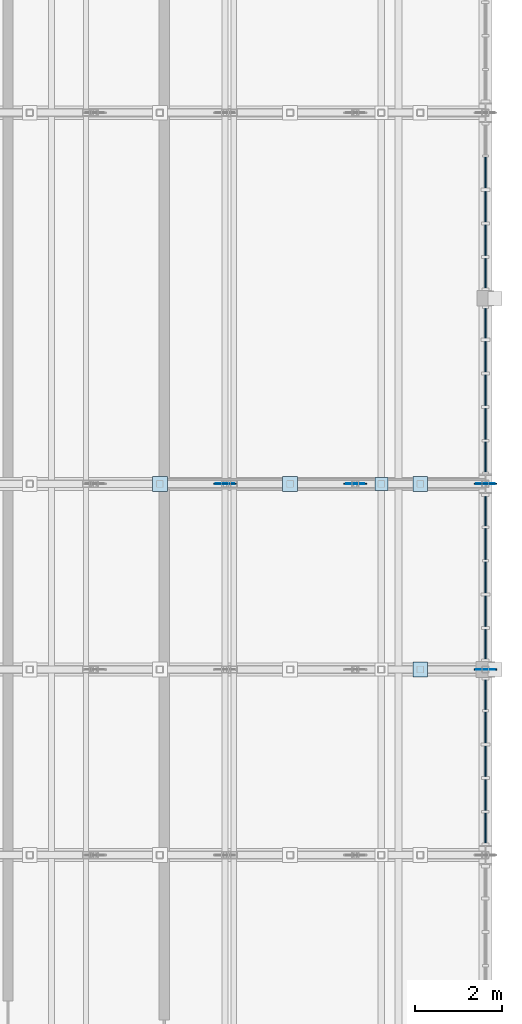
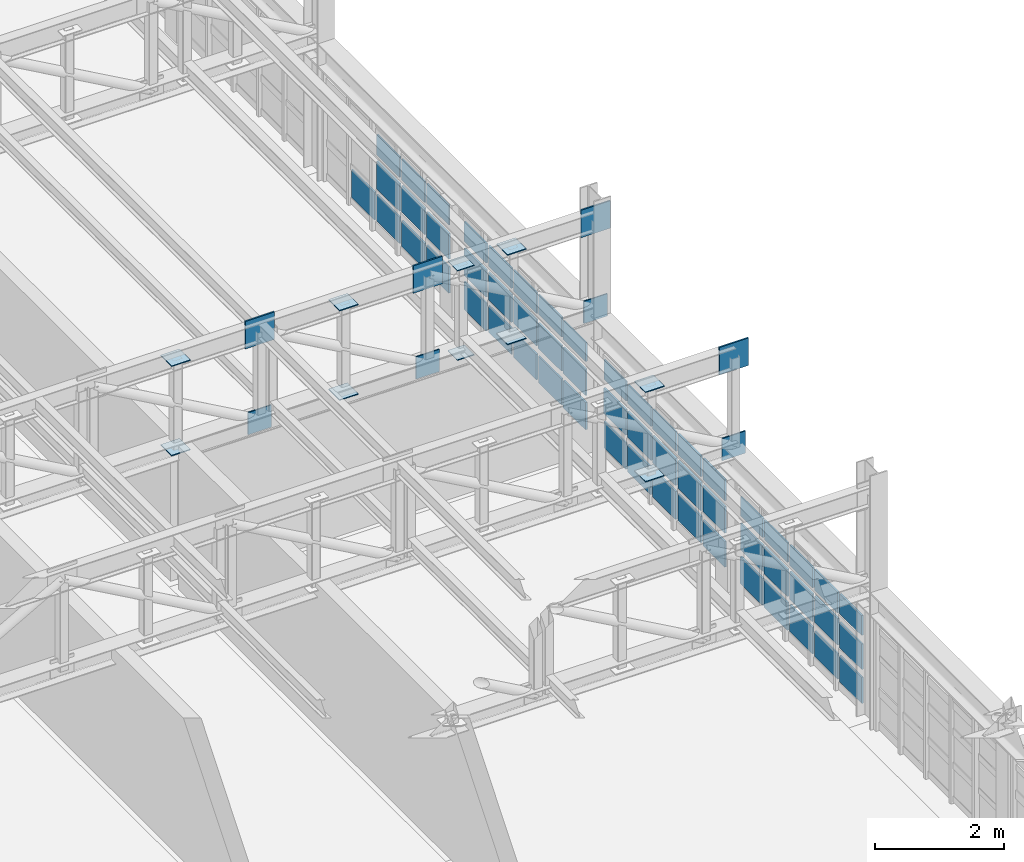
# One storey, part 110 of 128: 73 plates, 4 elements without a shape of their own.
"""IFC4 building model written with IfcOpenShell, lengths in metres."""

from ifc_helpers import new_model, si_unit, direction, frame, origin, origin_2d, place, context, subcontext, project, spatial, rectangle, extrude, material, layer, layer_set, type_object, element, aggregate, save


model = new_model("IFC4")

# Units and contexts
model_context = context("Model", 3, precision=1e-05, world=origin(), true_north=direction((0.0, 1.0)))
body_context = subcontext(model_context, "Body", "Model", "MODEL_VIEW")
ifc_project = project(units=[si_unit("LENGTHUNIT", "METRE"), si_unit("AREAUNIT", "SQUARE_METRE"), si_unit("VOLUMEUNIT", "CUBIC_METRE"), si_unit("PLANEANGLEUNIT", "RADIAN"), si_unit("MASSUNIT", "GRAM", prefix="KILO")], contexts=[model_context])

# Site, building, storey
site_placement = place(None, origin())
site = spatial("IfcSite", under=ifc_project, at=site_placement, CompositionType="ELEMENT")
building_placement = place(site_placement, origin())
building = spatial("IfcBuilding", under=site, at=building_placement, Name="Serraforn Aerial Cableway Station", CompositionType="ELEMENT")
storey_placement = place(building_placement, frame((0.0, 0.0, 9.0)))
storey = spatial("IfcBuildingStorey", under=building, at=storey_placement, Name="L02", CompositionType="ELEMENT", Elevation=9.0)

# Curtain wall, plate
ifc_material_1 = material(Name="Anodised bronze unitised curtain wall")
curtain_wall_type_1 = type_object("IfcCurtainWallType", Name="CW-SYS-6", PredefinedType="USERDEFINED", material=ifc_material_1)
curtain_wall_1_placement = place(storey_placement, origin())
curtain_wall_1 = element("IfcCurtainWall", 1, at=curtain_wall_1_placement, inside=storey, type_object=curtain_wall_type_1, Name="Unitised Curtain Wall CW-EG-L02-E5B", ObjectType="UNITISED CURTAIN WALL", PredefinedType="USERDEFINED")
ifc_material_2 = material(Name="Solar-control low-E double glazing", Category="glass")
ifc_layer_1 = layer(ifc_material_2, 0.02587890625)
ifc_layer_set_1 = layer_set([ifc_layer_1], Name="Solar-control low-E double glazing")
plate_type_1 = type_object("IfcPlateType", Name="CW-GLZ-1", PredefinedType="CURTAIN_PANEL", material=ifc_layer_set_1)
plate_1_placement = place(storey_placement, frame((168.0, 87.722412109375, 1.4375), z_axis=(0.0, 0.0, 1.0), x_axis=(1.0, 0.0, 0.0)))
plate_1 = element("IfcPlate", 2, at=plate_1_placement, type_object=plate_type_1, Name="Curtain Wall Panel CW-EG-L02-E5B-P5-3", PredefinedType="CURTAIN_PANEL", context=body_context, shape_type="SweptSolid", body=[
    extrude(rectangle(XDim=0.02587890625, YDim=0.683349609375, at=origin_2d()), origin(), (0.0, 0.0, 1.0), 0.375244140625),
])

# Curtain wall, plates
curtain_wall_type_2 = type_object("IfcCurtainWallType", Name="CW-SYS-9", PredefinedType="USERDEFINED", material=ifc_material_1)
curtain_wall_2_placement = place(storey_placement, origin())
curtain_wall_2 = element("IfcCurtainWall", 3, at=curtain_wall_2_placement, inside=storey, type_object=curtain_wall_type_2, Name="Unitised Curtain Wall CW-EG-L02-E6A", ObjectType="UNITISED CURTAIN WALL", PredefinedType="USERDEFINED")
plate_2_placement = place(storey_placement, frame((168.0, 89.7333984375, 1.4375), z_axis=(0.0, 0.0, 1.0), x_axis=(1.0, 0.0, 0.0)))
plate_2 = element("IfcPlate", 4, at=plate_2_placement, type_object=plate_type_1, Name="Curtain Wall Panel CW-EG-L02-E6A-P2-3", PredefinedType="CURTAIN_PANEL", context=body_context, shape_type="SweptSolid", body=[
    extrude(rectangle(XDim=0.02587890625, YDim=0.7158203125, at=origin_2d()), origin(), (0.0, 0.0, 1.0), 0.375244140625),
])
plate_3_placement = place(storey_placement, frame((168.0, 90.5078125, 0.80126953125), z_axis=(0.0, 0.0, 1.0), x_axis=(1.0, 0.0, 0.0)))
plate_3 = element("IfcPlate", 5, at=plate_3_placement, type_object=plate_type_1, Name="Curtain Wall Panel CW-EG-L02-E6A-P3-2", PredefinedType="CURTAIN_PANEL", context=body_context, shape_type="SweptSolid", body=[
    extrude(rectangle(XDim=0.02587890625, YDim=0.7109375, at=origin_2d()), origin(), (0.0, 0.0, 1.0), 0.50244140625),
])
plate_4_placement = place(storey_placement, frame((168.0, 91.281982421875, 0.165283203125), z_axis=(0.0, 0.0, 1.0), x_axis=(1.0, 0.0, 0.0)))
plate_4 = element("IfcPlate", 6, at=plate_4_placement, type_object=plate_type_1, Name="Curtain Wall Panel CW-EG-L02-E6A-P4-1", PredefinedType="CURTAIN_PANEL", context=body_context, shape_type="SweptSolid", body=[
    extrude(rectangle(XDim=0.02587890625, YDim=0.705810546875, at=origin_2d()), origin(), (0.0, 0.0, 1.0), 0.50244140625),
])

curtain_wall_type_3 = type_object("IfcCurtainWallType", Name="CW-SYS-10", PredefinedType="USERDEFINED", material=ifc_material_1)
curtain_wall_3_placement = place(storey_placement, origin())
curtain_wall_3 = element("IfcCurtainWall", 7, at=curtain_wall_3_placement, inside=storey, type_object=curtain_wall_type_3, Name="Unitised Curtain Wall CW-EG-L02-E6B", ObjectType="UNITISED CURTAIN WALL", PredefinedType="USERDEFINED")
plate_5_placement = place(storey_placement, frame((168.0, 93.2060546875, 1.4375), z_axis=(0.0, 0.0, 1.0), x_axis=(1.0, 0.0, 0.0)))
plate_5 = element("IfcPlate", 8, at=plate_5_placement, type_object=plate_type_1, Name="Curtain Wall Panel CW-EG-L02-E6B-P1-3", PredefinedType="CURTAIN_PANEL", context=body_context, shape_type="SweptSolid", body=[
    extrude(rectangle(XDim=0.02587890625, YDim=0.685791015625, at=origin_2d()), origin(), (0.0, 0.0, 1.0), 0.375244140625),
])
plate_6_placement = place(storey_placement, frame((168.0, 93.96533203125, 0.80126953125), z_axis=(0.0, 0.0, 1.0), x_axis=(1.0, 0.0, 0.0)))
plate_6 = element("IfcPlate", 9, at=plate_6_placement, type_object=plate_type_1, Name="Curtain Wall Panel CW-EG-L02-E6B-P2-2", PredefinedType="CURTAIN_PANEL", context=body_context, shape_type="SweptSolid", body=[
    extrude(rectangle(XDim=0.02587890625, YDim=0.7109375, at=origin_2d()), origin(), (0.0, 0.0, 1.0), 0.50244140625),
])
plate_7_placement = place(storey_placement, frame((168.0, 94.73974609375, 0.165283203125), z_axis=(0.0, 0.0, 1.0), x_axis=(1.0, 0.0, 0.0)))
plate_7 = element("IfcPlate", 10, at=plate_7_placement, type_object=plate_type_1, Name="Curtain Wall Panel CW-EG-L02-E6B-P3-1", PredefinedType="CURTAIN_PANEL", context=body_context, shape_type="SweptSolid", body=[
    extrude(rectangle(XDim=0.02587890625, YDim=0.705810546875, at=origin_2d()), origin(), (0.0, 0.0, 1.0), 0.50244140625),
])

# Curtain wall, plate
curtain_wall_type_4 = type_object("IfcCurtainWallType", Name="CW-SYS-5", PredefinedType="USERDEFINED", material=ifc_material_1)
curtain_wall_4_placement = place(storey_placement, origin())
curtain_wall_4 = element("IfcCurtainWall", 11, at=curtain_wall_4_placement, inside=storey, type_object=curtain_wall_type_4, Name="Unitised Curtain Wall CW-EG-L02-E5A", ObjectType="UNITISED CURTAIN WALL", PredefinedType="USERDEFINED")
ifc_layer_2 = layer(ifc_material_2, 0.028076171875)
ifc_layer_set_2 = layer_set([ifc_layer_2], Name="Solar-control low-E double glazing")
plate_type_2 = type_object("IfcPlateType", Name="CW-GLZ-2", PredefinedType="CURTAIN_PANEL", material=ifc_layer_set_2)
plate_8_placement = place(storey_placement, frame((168.0, 80.423828125, 0.150390625), z_axis=(0.0, 0.0, 1.0), x_axis=(1.0, 0.0, 0.0)))
plate_8 = element("IfcPlate", 12, at=plate_8_placement, type_object=plate_type_2, Name="Curtain Wall Panel CW-EG-L02-E5A-P1-1", PredefinedType="CURTAIN_PANEL", context=body_context, shape_type="SweptSolid", body=[
    extrude(rectangle(XDim=0.028076171875, YDim=0.685791015625, at=origin_2d()), origin(), (0.0, 0.0, 1.0), 0.49755859375),
])

# Plate
plate_9_placement = place(storey_placement, frame((168.0, 90.5078125, 1.40966796875), z_axis=(0.0, 0.0, 1.0), x_axis=(1.0, 0.0, 0.0)))
plate_9 = element("IfcPlate", 13, at=plate_9_placement, type_object=plate_type_2, Name="Curtain Wall Panel CW-EG-L02-E6A-P3-3", PredefinedType="CURTAIN_PANEL", context=body_context, shape_type="SweptSolid", body=[
    extrude(rectangle(XDim=0.028076171875, YDim=0.7109375, at=origin_2d()), origin(), (0.0, 0.0, 1.0), 0.397705078125),
])

plate_10_placement = place(storey_placement, frame((168.0, 91.281982421875, 0.77392578125), z_axis=(0.0, 0.0, 1.0), x_axis=(1.0, 0.0, 0.0)))
plate_10 = element("IfcPlate", 14, at=plate_10_placement, type_object=plate_type_2, Name="Curtain Wall Panel CW-EG-L02-E6A-P4-2", PredefinedType="CURTAIN_PANEL", context=body_context, shape_type="SweptSolid", body=[
    extrude(rectangle(XDim=0.028076171875, YDim=0.705810546875, at=origin_2d()), origin(), (0.0, 0.0, 1.0), 0.52490234375),
])

plate_11_placement = place(storey_placement, frame((168.0, 92.049072265625, 0.137939453125), z_axis=(0.0, 0.0, 1.0), x_axis=(1.0, 0.0, 0.0)))
plate_11 = element("IfcPlate", 15, at=plate_11_placement, type_object=plate_type_2, Name="Curtain Wall Panel CW-EG-L02-E6A-P5-1", PredefinedType="CURTAIN_PANEL", context=body_context, shape_type="SweptSolid", body=[
    extrude(rectangle(XDim=0.028076171875, YDim=0.685791015625, at=origin_2d()), origin(), (0.0, 0.0, 1.0), 0.52490234375),
])

plate_12_placement = place(storey_placement, frame((168.0, 93.96533203125, 1.40966796875), z_axis=(0.0, 0.0, 1.0), x_axis=(1.0, 0.0, 0.0)))
plate_12 = element("IfcPlate", 16, at=plate_12_placement, type_object=plate_type_2, Name="Curtain Wall Panel CW-EG-L02-E6B-P2-3", PredefinedType="CURTAIN_PANEL", context=body_context, shape_type="SweptSolid", body=[
    extrude(rectangle(XDim=0.028076171875, YDim=0.7109375, at=origin_2d()), origin(), (0.0, 0.0, 1.0), 0.397705078125),
])

plate_13_placement = place(storey_placement, frame((168.0, 94.73974609375, 0.77392578125), z_axis=(0.0, 0.0, 1.0), x_axis=(1.0, 0.0, 0.0)))
plate_13 = element("IfcPlate", 17, at=plate_13_placement, type_object=plate_type_2, Name="Curtain Wall Panel CW-EG-L02-E6B-P3-2", PredefinedType="CURTAIN_PANEL", context=body_context, shape_type="SweptSolid", body=[
    extrude(rectangle(XDim=0.028076171875, YDim=0.705810546875, at=origin_2d()), origin(), (0.0, 0.0, 1.0), 0.52490234375),
])

plate_14_placement = place(storey_placement, frame((168.0, 95.5205078125, 0.137939453125), z_axis=(0.0, 0.0, 1.0), x_axis=(1.0, 0.0, 0.0)))
plate_14 = element("IfcPlate", 18, at=plate_14_placement, type_object=plate_type_2, Name="Curtain Wall Panel CW-EG-L02-E6B-P4-1", PredefinedType="CURTAIN_PANEL", context=body_context, shape_type="SweptSolid", body=[
    extrude(rectangle(XDim=0.028076171875, YDim=0.71337890625, at=origin_2d()), origin(), (0.0, 0.0, 1.0), 0.52490234375),
])

ifc_layer_3 = layer(ifc_material_2, 0.030029296875)
ifc_layer_set_3 = layer_set([ifc_layer_3], Name="Solar-control low-E double glazing")
plate_type_3 = type_object("IfcPlateType", Name="CW-GLZ-3", PredefinedType="CURTAIN_PANEL", material=ifc_layer_set_3)
plate_15_placement = place(storey_placement, frame((168.0, 80.423828125, 0.7939453125), z_axis=(0.0, 0.0, 1.0), x_axis=(1.0, 0.0, 0.0)))
plate_15 = element("IfcPlate", 19, at=plate_15_placement, type_object=plate_type_3, Name="Curtain Wall Panel CW-EG-L02-E5A-P1-2", PredefinedType="CURTAIN_PANEL", context=body_context, shape_type="SweptSolid", body=[
    extrude(rectangle(XDim=0.030029296875, YDim=0.685791015625, at=origin_2d()), origin(), (0.0, 0.0, 1.0), 0.482421875),
])

plate_16_placement = place(storey_placement, frame((168.0, 81.183349609375, 0.15771484375), z_axis=(0.0, 0.0, 1.0), x_axis=(1.0, 0.0, 0.0)))
plate_16 = element("IfcPlate", 20, at=plate_16_placement, type_object=plate_type_3, Name="Curtain Wall Panel CW-EG-L02-E5A-P2-1", PredefinedType="CURTAIN_PANEL", context=body_context, shape_type="SweptSolid", body=[
    extrude(rectangle(XDim=0.030029296875, YDim=0.7109375, at=origin_2d()), origin(), (0.0, 0.0, 1.0), 0.482421875),
])

plate_17_placement = place(storey_placement, frame((168.0, 84.6572265625, 0.15771484375), z_axis=(0.0, 0.0, 1.0), x_axis=(1.0, 0.0, 0.0)))
plate_17 = element("IfcPlate", 21, at=plate_17_placement, type_object=plate_type_3, Name="Curtain Wall Panel CW-EG-L02-E5B-P1-1", PredefinedType="CURTAIN_PANEL", context=body_context, shape_type="SweptSolid", body=[
    extrude(rectangle(XDim=0.030029296875, YDim=0.678466796875, at=origin_2d()), origin(), (0.0, 0.0, 1.0), 0.482421875),
])

plate_18_placement = place(storey_placement, frame((168.0, 91.281982421875, 1.414794921875), z_axis=(0.0, 0.0, 1.0), x_axis=(1.0, 0.0, 0.0)))
plate_18 = element("IfcPlate", 22, at=plate_18_placement, type_object=plate_type_3, Name="Curtain Wall Panel CW-EG-L02-E6A-P4-3", PredefinedType="CURTAIN_PANEL", context=body_context, shape_type="SweptSolid", body=[
    extrude(rectangle(XDim=0.030029296875, YDim=0.705810546875, at=origin_2d()), origin(), (0.0, 0.0, 1.0), 0.38525390625),
])

plate_19_placement = place(storey_placement, frame((168.0, 92.049072265625, 0.77880859375), z_axis=(0.0, 0.0, 1.0), x_axis=(1.0, 0.0, 0.0)))
plate_19 = element("IfcPlate", 23, at=plate_19_placement, type_object=plate_type_3, Name="Curtain Wall Panel CW-EG-L02-E6A-P5-2", PredefinedType="CURTAIN_PANEL", context=body_context, shape_type="SweptSolid", body=[
    extrude(rectangle(XDim=0.030029296875, YDim=0.685791015625, at=origin_2d()), origin(), (0.0, 0.0, 1.0), 0.512451171875),
])

plate_20_placement = place(storey_placement, frame((168.0, 94.73974609375, 1.414794921875), z_axis=(0.0, 0.0, 1.0), x_axis=(1.0, 0.0, 0.0)))
plate_20 = element("IfcPlate", 24, at=plate_20_placement, type_object=plate_type_3, Name="Curtain Wall Panel CW-EG-L02-E6B-P3-3", PredefinedType="CURTAIN_PANEL", context=body_context, shape_type="SweptSolid", body=[
    extrude(rectangle(XDim=0.030029296875, YDim=0.705810546875, at=origin_2d()), origin(), (0.0, 0.0, 1.0), 0.38525390625),
])

ifc_layer_4 = layer(ifc_material_2, 0.031982421875)
ifc_layer_set_4 = layer_set([ifc_layer_4], Name="Solar-control low-E double glazing")
plate_type_4 = type_object("IfcPlateType", Name="CW-GLZ-4", PredefinedType="CURTAIN_PANEL", material=ifc_layer_set_4)
plate_21_placement = place(storey_placement, frame((168.0, 80.423828125, 1.4375), z_axis=(0.0, 0.0, 1.0), x_axis=(1.0, 0.0, 0.0)))
plate_21 = element("IfcPlate", 25, at=plate_21_placement, type_object=plate_type_4, Name="Curtain Wall Panel CW-EG-L02-E5A-P1-3", PredefinedType="CURTAIN_PANEL", context=body_context, shape_type="SweptSolid", body=[
    extrude(rectangle(XDim=0.031982421875, YDim=0.685791015625, at=origin_2d()), origin(), (0.0, 0.0, 1.0), 0.375244140625),
])

plate_22_placement = place(storey_placement, frame((168.0, 81.183349609375, 0.80126953125), z_axis=(0.0, 0.0, 1.0), x_axis=(1.0, 0.0, 0.0)))
plate_22 = element("IfcPlate", 26, at=plate_22_placement, type_object=plate_type_4, Name="Curtain Wall Panel CW-EG-L02-E5A-P2-2", PredefinedType="CURTAIN_PANEL", context=body_context, shape_type="SweptSolid", body=[
    extrude(rectangle(XDim=0.031982421875, YDim=0.7109375, at=origin_2d()), origin(), (0.0, 0.0, 1.0), 0.50244140625),
])

plate_23_placement = place(storey_placement, frame((168.0, 81.957763671875, 0.165283203125), z_axis=(0.0, 0.0, 1.0), x_axis=(1.0, 0.0, 0.0)))
plate_23 = element("IfcPlate", 27, at=plate_23_placement, type_object=plate_type_4, Name="Curtain Wall Panel CW-EG-L02-E5A-P3-1", PredefinedType="CURTAIN_PANEL", context=body_context, shape_type="SweptSolid", body=[
    extrude(rectangle(XDim=0.031982421875, YDim=0.705810546875, at=origin_2d()), origin(), (0.0, 0.0, 1.0), 0.50244140625),
])

plate_24_placement = place(storey_placement, frame((168.0, 84.6572265625, 0.80126953125), z_axis=(0.0, 0.0, 1.0), x_axis=(1.0, 0.0, 0.0)))
plate_24 = element("IfcPlate", 28, at=plate_24_placement, type_object=plate_type_4, Name="Curtain Wall Panel CW-EG-L02-E5B-P1-2", PredefinedType="CURTAIN_PANEL", context=body_context, shape_type="SweptSolid", body=[
    extrude(rectangle(XDim=0.031982421875, YDim=0.678466796875, at=origin_2d()), origin(), (0.0, 0.0, 1.0), 0.50244140625),
])

plate_25_placement = place(storey_placement, frame((168.0, 85.415283203125, 0.165283203125), z_axis=(0.0, 0.0, 1.0), x_axis=(1.0, 0.0, 0.0)))
plate_25 = element("IfcPlate", 29, at=plate_25_placement, type_object=plate_type_4, Name="Curtain Wall Panel CW-EG-L02-E5B-P2-1", PredefinedType="CURTAIN_PANEL", context=body_context, shape_type="SweptSolid", body=[
    extrude(rectangle(XDim=0.031982421875, YDim=0.705810546875, at=origin_2d()), origin(), (0.0, 0.0, 1.0), 0.50244140625),
])

plate_26_placement = place(storey_placement, frame((168.0, 92.049072265625, 1.42236328125), z_axis=(0.0, 0.0, 1.0), x_axis=(1.0, 0.0, 0.0)))
plate_26 = element("IfcPlate", 30, at=plate_26_placement, type_object=plate_type_4, Name="Curtain Wall Panel CW-EG-L02-E6A-P5-3", PredefinedType="CURTAIN_PANEL", context=body_context, shape_type="SweptSolid", body=[
    extrude(rectangle(XDim=0.031982421875, YDim=0.685791015625, at=origin_2d()), origin(), (0.0, 0.0, 1.0), 0.370361328125),
])

ifc_layer_5 = layer(ifc_material_2, 0.033935546875)
ifc_layer_set_5 = layer_set([ifc_layer_5], Name="Solar-control low-E double glazing")
plate_type_5 = type_object("IfcPlateType", Name="CW-GLZ-5", PredefinedType="CURTAIN_PANEL", material=ifc_layer_set_5)
plate_27_placement = place(storey_placement, frame((168.0, 81.183349609375, 1.40966796875), z_axis=(0.0, 0.0, 1.0), x_axis=(1.0, 0.0, 0.0)))
plate_27 = element("IfcPlate", 31, at=plate_27_placement, type_object=plate_type_5, Name="Curtain Wall Panel CW-EG-L02-E5A-P2-3", PredefinedType="CURTAIN_PANEL", context=body_context, shape_type="SweptSolid", body=[
    extrude(rectangle(XDim=0.033935546875, YDim=0.7109375, at=origin_2d()), origin(), (0.0, 0.0, 1.0), 0.397705078125),
])

plate_28_placement = place(storey_placement, frame((168.0, 81.957763671875, 0.77392578125), z_axis=(0.0, 0.0, 1.0), x_axis=(1.0, 0.0, 0.0)))
plate_28 = element("IfcPlate", 32, at=plate_28_placement, type_object=plate_type_5, Name="Curtain Wall Panel CW-EG-L02-E5A-P3-2", PredefinedType="CURTAIN_PANEL", context=body_context, shape_type="SweptSolid", body=[
    extrude(rectangle(XDim=0.033935546875, YDim=0.705810546875, at=origin_2d()), origin(), (0.0, 0.0, 1.0), 0.52490234375),
])

plate_29_placement = place(storey_placement, frame((168.0, 82.73828125, 0.137939453125), z_axis=(0.0, 0.0, 1.0), x_axis=(1.0, 0.0, 0.0)))
plate_29 = element("IfcPlate", 33, at=plate_29_placement, type_object=plate_type_5, Name="Curtain Wall Panel CW-EG-L02-E5A-P4-1", PredefinedType="CURTAIN_PANEL", context=body_context, shape_type="SweptSolid", body=[
    extrude(rectangle(XDim=0.033935546875, YDim=0.71337890625, at=origin_2d()), origin(), (0.0, 0.0, 1.0), 0.52490234375),
])

plate_30_placement = place(storey_placement, frame((168.0, 84.6572265625, 1.40966796875), z_axis=(0.0, 0.0, 1.0), x_axis=(1.0, 0.0, 0.0)))
plate_30 = element("IfcPlate", 34, at=plate_30_placement, type_object=plate_type_5, Name="Curtain Wall Panel CW-EG-L02-E5B-P1-3", PredefinedType="CURTAIN_PANEL", context=body_context, shape_type="SweptSolid", body=[
    extrude(rectangle(XDim=0.033935546875, YDim=0.678466796875, at=origin_2d()), origin(), (0.0, 0.0, 1.0), 0.397705078125),
])

plate_31_placement = place(storey_placement, frame((168.0, 85.415283203125, 0.77392578125), z_axis=(0.0, 0.0, 1.0), x_axis=(1.0, 0.0, 0.0)))
plate_31 = element("IfcPlate", 35, at=plate_31_placement, type_object=plate_type_5, Name="Curtain Wall Panel CW-EG-L02-E5B-P2-2", PredefinedType="CURTAIN_PANEL", context=body_context, shape_type="SweptSolid", body=[
    extrude(rectangle(XDim=0.033935546875, YDim=0.705810546875, at=origin_2d()), origin(), (0.0, 0.0, 1.0), 0.52490234375),
])

plate_32_placement = place(storey_placement, frame((168.0, 86.196044921875, 0.137939453125), z_axis=(0.0, 0.0, 1.0), x_axis=(1.0, 0.0, 0.0)))
plate_32 = element("IfcPlate", 36, at=plate_32_placement, type_object=plate_type_5, Name="Curtain Wall Panel CW-EG-L02-E5B-P3-1", PredefinedType="CURTAIN_PANEL", context=body_context, shape_type="SweptSolid", body=[
    extrude(rectangle(XDim=0.033935546875, YDim=0.71337890625, at=origin_2d()), origin(), (0.0, 0.0, 1.0), 0.52490234375),
])

ifc_layer_6 = layer(ifc_material_2, 0.035888671875)
ifc_layer_set_6 = layer_set([ifc_layer_6], Name="Solar-control low-E double glazing")
plate_type_6 = type_object("IfcPlateType", Name="CW-GLZ-6", PredefinedType="CURTAIN_PANEL", material=ifc_layer_set_6)
plate_33_placement = place(storey_placement, frame((168.0, 81.957763671875, 1.414794921875), z_axis=(0.0, 0.0, 1.0), x_axis=(1.0, 0.0, 0.0)))
plate_33 = element("IfcPlate", 37, at=plate_33_placement, type_object=plate_type_6, Name="Curtain Wall Panel CW-EG-L02-E5A-P3-3", PredefinedType="CURTAIN_PANEL", context=body_context, shape_type="SweptSolid", body=[
    extrude(rectangle(XDim=0.035888671875, YDim=0.705810546875, at=origin_2d()), origin(), (0.0, 0.0, 1.0), 0.38525390625),
])

plate_34_placement = place(storey_placement, frame((168.0, 82.73828125, 0.77880859375), z_axis=(0.0, 0.0, 1.0), x_axis=(1.0, 0.0, 0.0)))
plate_34 = element("IfcPlate", 38, at=plate_34_placement, type_object=plate_type_6, Name="Curtain Wall Panel CW-EG-L02-E5A-P4-2", PredefinedType="CURTAIN_PANEL", context=body_context, shape_type="SweptSolid", body=[
    extrude(rectangle(XDim=0.035888671875, YDim=0.71337890625, at=origin_2d()), origin(), (0.0, 0.0, 1.0), 0.512451171875),
])

plate_35_placement = place(storey_placement, frame((168.0, 83.491455078125, 0.142578125), z_axis=(0.0, 0.0, 1.0), x_axis=(1.0, 0.0, 0.0)))
plate_35 = element("IfcPlate", 39, at=plate_35_placement, type_object=plate_type_6, Name="Curtain Wall Panel CW-EG-L02-E5A-P5-1", PredefinedType="CURTAIN_PANEL", context=body_context, shape_type="SweptSolid", body=[
    extrude(rectangle(XDim=0.035888671875, YDim=0.69091796875, at=origin_2d()), origin(), (0.0, 0.0, 1.0), 0.512451171875),
])

plate_36_placement = place(storey_placement, frame((168.0, 85.415283203125, 1.414794921875), z_axis=(0.0, 0.0, 1.0), x_axis=(1.0, 0.0, 0.0)))
plate_36 = element("IfcPlate", 40, at=plate_36_placement, type_object=plate_type_6, Name="Curtain Wall Panel CW-EG-L02-E5B-P2-3", PredefinedType="CURTAIN_PANEL", context=body_context, shape_type="SweptSolid", body=[
    extrude(rectangle(XDim=0.035888671875, YDim=0.705810546875, at=origin_2d()), origin(), (0.0, 0.0, 1.0), 0.38525390625),
])

plate_37_placement = place(storey_placement, frame((168.0, 86.196044921875, 0.77880859375), z_axis=(0.0, 0.0, 1.0), x_axis=(1.0, 0.0, 0.0)))
plate_37 = element("IfcPlate", 41, at=plate_37_placement, type_object=plate_type_6, Name="Curtain Wall Panel CW-EG-L02-E5B-P3-2", PredefinedType="CURTAIN_PANEL", context=body_context, shape_type="SweptSolid", body=[
    extrude(rectangle(XDim=0.035888671875, YDim=0.71337890625, at=origin_2d()), origin(), (0.0, 0.0, 1.0), 0.512451171875),
])

plate_38_placement = place(storey_placement, frame((168.0, 86.964111328125, 0.142578125), z_axis=(0.0, 0.0, 1.0), x_axis=(1.0, 0.0, 0.0)))
plate_38 = element("IfcPlate", 42, at=plate_38_placement, type_object=plate_type_6, Name="Curtain Wall Panel CW-EG-L02-E5B-P4-1", PredefinedType="CURTAIN_PANEL", context=body_context, shape_type="SweptSolid", body=[
    extrude(rectangle(XDim=0.035888671875, YDim=0.720947265625, at=origin_2d()), origin(), (0.0, 0.0, 1.0), 0.512451171875),
])

plate_39_placement = place(storey_placement, frame((168.0, 88.97265625, 0.142578125), z_axis=(0.0, 0.0, 1.0), x_axis=(1.0, 0.0, 0.0)))
plate_39 = element("IfcPlate", 43, at=plate_39_placement, type_object=plate_type_6, Name="Curtain Wall Panel CW-EG-L02-E6A-P1-1", PredefinedType="CURTAIN_PANEL", context=body_context, shape_type="SweptSolid", body=[
    extrude(rectangle(XDim=0.035888671875, YDim=0.693359375, at=origin_2d()), origin(), (0.0, 0.0, 1.0), 0.512451171875),
])

ifc_layer_7 = layer(ifc_material_2, 0.029052734375)
ifc_layer_set_7 = layer_set([ifc_layer_7], Name="Solar-control low-E double glazing")
plate_type_7 = type_object("IfcPlateType", Name="CW-GLZ-7", PredefinedType="CURTAIN_PANEL", material=ifc_layer_set_7)
plate_40_placement = place(storey_placement, frame((168.0, 82.73828125, 1.42236328125), z_axis=(0.0, 0.0, 1.0), x_axis=(1.0, 0.0, 0.0)))
plate_40 = element("IfcPlate", 44, at=plate_40_placement, type_object=plate_type_7, Name="Curtain Wall Panel CW-EG-L02-E5A-P4-3", PredefinedType="CURTAIN_PANEL", context=body_context, shape_type="SweptSolid", body=[
    extrude(rectangle(XDim=0.029052734375, YDim=0.71337890625, at=origin_2d()), origin(), (0.0, 0.0, 1.0), 0.370361328125),
])

plate_41_placement = place(storey_placement, frame((168.0, 83.491455078125, 0.786376953125), z_axis=(0.0, 0.0, 1.0), x_axis=(1.0, 0.0, 0.0)))
plate_41 = element("IfcPlate", 45, at=plate_41_placement, type_object=plate_type_7, Name="Curtain Wall Panel CW-EG-L02-E5A-P5-2", PredefinedType="CURTAIN_PANEL", context=body_context, shape_type="SweptSolid", body=[
    extrude(rectangle(XDim=0.029052734375, YDim=0.69091796875, at=origin_2d()), origin(), (0.0, 0.0, 1.0), 0.49755859375),
])

plate_42_placement = place(storey_placement, frame((168.0, 86.196044921875, 1.42236328125), z_axis=(0.0, 0.0, 1.0), x_axis=(1.0, 0.0, 0.0)))
plate_42 = element("IfcPlate", 46, at=plate_42_placement, type_object=plate_type_7, Name="Curtain Wall Panel CW-EG-L02-E5B-P3-3", PredefinedType="CURTAIN_PANEL", context=body_context, shape_type="SweptSolid", body=[
    extrude(rectangle(XDim=0.029052734375, YDim=0.71337890625, at=origin_2d()), origin(), (0.0, 0.0, 1.0), 0.370361328125),
])

plate_43_placement = place(storey_placement, frame((168.0, 86.964111328125, 0.786376953125), z_axis=(0.0, 0.0, 1.0), x_axis=(1.0, 0.0, 0.0)))
plate_43 = element("IfcPlate", 47, at=plate_43_placement, type_object=plate_type_7, Name="Curtain Wall Panel CW-EG-L02-E5B-P4-2", PredefinedType="CURTAIN_PANEL", context=body_context, shape_type="SweptSolid", body=[
    extrude(rectangle(XDim=0.029052734375, YDim=0.720947265625, at=origin_2d()), origin(), (0.0, 0.0, 1.0), 0.49755859375),
])

plate_44_placement = place(storey_placement, frame((168.0, 87.722412109375, 0.150390625), z_axis=(0.0, 0.0, 1.0), x_axis=(1.0, 0.0, 0.0)))
plate_44 = element("IfcPlate", 48, at=plate_44_placement, type_object=plate_type_7, Name="Curtain Wall Panel CW-EG-L02-E5B-P5-1", PredefinedType="CURTAIN_PANEL", context=body_context, shape_type="SweptSolid", body=[
    extrude(rectangle(XDim=0.029052734375, YDim=0.683349609375, at=origin_2d()), origin(), (0.0, 0.0, 1.0), 0.49755859375),
])

plate_45_placement = place(storey_placement, frame((168.0, 88.97265625, 0.786376953125), z_axis=(0.0, 0.0, 1.0), x_axis=(1.0, 0.0, 0.0)))
plate_45 = element("IfcPlate", 49, at=plate_45_placement, type_object=plate_type_7, Name="Curtain Wall Panel CW-EG-L02-E6A-P1-2", PredefinedType="CURTAIN_PANEL", context=body_context, shape_type="SweptSolid", body=[
    extrude(rectangle(XDim=0.029052734375, YDim=0.693359375, at=origin_2d()), origin(), (0.0, 0.0, 1.0), 0.49755859375),
])

plate_46_placement = place(storey_placement, frame((168.0, 89.7333984375, 0.150390625), z_axis=(0.0, 0.0, 1.0), x_axis=(1.0, 0.0, 0.0)))
plate_46 = element("IfcPlate", 50, at=plate_46_placement, type_object=plate_type_7, Name="Curtain Wall Panel CW-EG-L02-E6A-P2-1", PredefinedType="CURTAIN_PANEL", context=body_context, shape_type="SweptSolid", body=[
    extrude(rectangle(XDim=0.029052734375, YDim=0.7158203125, at=origin_2d()), origin(), (0.0, 0.0, 1.0), 0.49755859375),
])

plate_47_placement = place(storey_placement, frame((168.0, 93.2060546875, 0.150390625), z_axis=(0.0, 0.0, 1.0), x_axis=(1.0, 0.0, 0.0)))
plate_47 = element("IfcPlate", 51, at=plate_47_placement, type_object=plate_type_7, Name="Curtain Wall Panel CW-EG-L02-E6B-P1-1", PredefinedType="CURTAIN_PANEL", context=body_context, shape_type="SweptSolid", body=[
    extrude(rectangle(XDim=0.029052734375, YDim=0.685791015625, at=origin_2d()), origin(), (0.0, 0.0, 1.0), 0.49755859375),
])

ifc_layer_8 = layer(ifc_material_2, 0.031005859375)
ifc_layer_set_8 = layer_set([ifc_layer_8], Name="Solar-control low-E double glazing")
plate_type_8 = type_object("IfcPlateType", Name="CW-GLZ-8", PredefinedType="CURTAIN_PANEL", material=ifc_layer_set_8)
plate_48_placement = place(storey_placement, frame((168.0, 83.491455078125, 1.4296875), z_axis=(0.0, 0.0, 1.0), x_axis=(1.0, 0.0, 0.0)))
plate_48 = element("IfcPlate", 52, at=plate_48_placement, type_object=plate_type_8, Name="Curtain Wall Panel CW-EG-L02-E5A-P5-3", PredefinedType="CURTAIN_PANEL", context=body_context, shape_type="SweptSolid", body=[
    extrude(rectangle(XDim=0.031005859375, YDim=0.69091796875, at=origin_2d()), origin(), (0.0, 0.0, 1.0), 0.355224609375),
])

aggregate(curtain_wall_4, [plate_8, plate_15, plate_21, plate_16, plate_22, plate_27, plate_23, plate_28, plate_33, plate_29, plate_34, plate_40, plate_35, plate_41, plate_48])

plate_49_placement = place(storey_placement, frame((168.0, 86.964111328125, 1.4296875), z_axis=(0.0, 0.0, 1.0), x_axis=(1.0, 0.0, 0.0)))
plate_49 = element("IfcPlate", 53, at=plate_49_placement, type_object=plate_type_8, Name="Curtain Wall Panel CW-EG-L02-E5B-P4-3", PredefinedType="CURTAIN_PANEL", context=body_context, shape_type="SweptSolid", body=[
    extrude(rectangle(XDim=0.031005859375, YDim=0.720947265625, at=origin_2d()), origin(), (0.0, 0.0, 1.0), 0.355224609375),
])

plate_50_placement = place(storey_placement, frame((168.0, 87.722412109375, 0.7939453125), z_axis=(0.0, 0.0, 1.0), x_axis=(1.0, 0.0, 0.0)))
plate_50 = element("IfcPlate", 54, at=plate_50_placement, type_object=plate_type_8, Name="Curtain Wall Panel CW-EG-L02-E5B-P5-2", PredefinedType="CURTAIN_PANEL", context=body_context, shape_type="SweptSolid", body=[
    extrude(rectangle(XDim=0.031005859375, YDim=0.683349609375, at=origin_2d()), origin(), (0.0, 0.0, 1.0), 0.482421875),
])

aggregate(curtain_wall_1, [plate_17, plate_24, plate_30, plate_25, plate_31, plate_36, plate_32, plate_37, plate_42, plate_38, plate_43, plate_49, plate_44, plate_50, plate_1])

plate_51_placement = place(storey_placement, frame((168.0, 88.97265625, 1.4296875), z_axis=(0.0, 0.0, 1.0), x_axis=(1.0, 0.0, 0.0)))
plate_51 = element("IfcPlate", 55, at=plate_51_placement, type_object=plate_type_8, Name="Curtain Wall Panel CW-EG-L02-E6A-P1-3", PredefinedType="CURTAIN_PANEL", context=body_context, shape_type="SweptSolid", body=[
    extrude(rectangle(XDim=0.031005859375, YDim=0.693359375, at=origin_2d()), origin(), (0.0, 0.0, 1.0), 0.355224609375),
])

plate_52_placement = place(storey_placement, frame((168.0, 89.7333984375, 0.7939453125), z_axis=(0.0, 0.0, 1.0), x_axis=(1.0, 0.0, 0.0)))
plate_52 = element("IfcPlate", 56, at=plate_52_placement, type_object=plate_type_8, Name="Curtain Wall Panel CW-EG-L02-E6A-P2-2", PredefinedType="CURTAIN_PANEL", context=body_context, shape_type="SweptSolid", body=[
    extrude(rectangle(XDim=0.031005859375, YDim=0.7158203125, at=origin_2d()), origin(), (0.0, 0.0, 1.0), 0.482421875),
])

plate_53_placement = place(storey_placement, frame((168.0, 90.5078125, 0.15771484375), z_axis=(0.0, 0.0, 1.0), x_axis=(1.0, 0.0, 0.0)))
plate_53 = element("IfcPlate", 57, at=plate_53_placement, type_object=plate_type_8, Name="Curtain Wall Panel CW-EG-L02-E6A-P3-1", PredefinedType="CURTAIN_PANEL", context=body_context, shape_type="SweptSolid", body=[
    extrude(rectangle(XDim=0.031005859375, YDim=0.7109375, at=origin_2d()), origin(), (0.0, 0.0, 1.0), 0.482421875),
])

aggregate(curtain_wall_2, [plate_39, plate_45, plate_51, plate_46, plate_52, plate_2, plate_53, plate_3, plate_9, plate_4, plate_10, plate_18, plate_11, plate_19, plate_26])

plate_54_placement = place(storey_placement, frame((168.0, 93.2060546875, 0.7939453125), z_axis=(0.0, 0.0, 1.0), x_axis=(1.0, 0.0, 0.0)))
plate_54 = element("IfcPlate", 58, at=plate_54_placement, type_object=plate_type_8, Name="Curtain Wall Panel CW-EG-L02-E6B-P1-2", PredefinedType="CURTAIN_PANEL", context=body_context, shape_type="SweptSolid", body=[
    extrude(rectangle(XDim=0.031005859375, YDim=0.685791015625, at=origin_2d()), origin(), (0.0, 0.0, 1.0), 0.482421875),
])

plate_55_placement = place(storey_placement, frame((168.0, 93.96533203125, 0.15771484375), z_axis=(0.0, 0.0, 1.0), x_axis=(1.0, 0.0, 0.0)))
plate_55 = element("IfcPlate", 59, at=plate_55_placement, type_object=plate_type_8, Name="Curtain Wall Panel CW-EG-L02-E6B-P2-1", PredefinedType="CURTAIN_PANEL", context=body_context, shape_type="SweptSolid", body=[
    extrude(rectangle(XDim=0.031005859375, YDim=0.7109375, at=origin_2d()), origin(), (0.0, 0.0, 1.0), 0.482421875),
])

aggregate(curtain_wall_3, [plate_47, plate_54, plate_5, plate_55, plate_6, plate_12, plate_7, plate_13, plate_20, plate_14])

# Plates
ifc_material_3 = material(Name="Steel S355J2", Category="steel")
ifc_layer_9 = layer(ifc_material_3, 0.01611328125)
ifc_layer_set_9 = layer_set([ifc_layer_9], Name="Steel S355J2")
plate_type_9 = type_object("IfcPlateType", Name="PLT-CAP-16", PredefinedType="USERDEFINED", material=ifc_layer_set_9)
for number, where, z_axis, x_axis, name in (
    (60, (165.60009765625, 88.35009765625, 2.592041015625), (0.0, 0.0, 1.0), (1.0, 0.0, 0.0), "Suspension Post Bottom Cap 048"),
    (61, (165.60009765625, 88.35009765625, 4.281982421875), (0.0, 0.0, 1.0), (1.0, 0.0, 0.0), "Suspension Post Top Cap 048"),
):
    element("IfcPlate", number, at=place(storey_placement, frame(where, z_axis=z_axis, x_axis=x_axis)), inside=storey, type_object=plate_type_9, Name=name, ObjectType="CAP PLATE", PredefinedType="USERDEFINED", context=body_context, shape_type="SweptSolid", body=[
        extrude(rectangle(XDim=0.300048828125, YDim=0.300048828125, at=origin_2d()), origin(), (0.0, 0.0, 1.0), 0.01611328125),
    ])
ifc_layer_10 = layer(ifc_material_3, 0.01806640625)
ifc_layer_set_10 = layer_set([ifc_layer_10], Name="Steel S355J2")
plate_type_10 = type_object("IfcPlateType", Name="PLT-CAP-18", PredefinedType="USERDEFINED", material=ifc_layer_set_10)
for number, where, z_axis, x_axis, name in (
    (62, (166.5, 84.074951171875, 2.591064453125), (0.0, 0.0, 1.0), (1.0, 0.0, 0.0), "Sub-Vertical Strut Bottom Cap GT-08-8"),
    (63, (166.5, 84.074951171875, 4.281005859375), (0.0, 0.0, 1.0), (1.0, 0.0, 0.0), "Sub-Vertical Strut Top Cap GT-08-8"),
    (64, (160.5, 88.35009765625, 2.591064453125), (0.0, 0.0, 1.0), (1.0, 0.0, 0.0), "Sub-Vertical Strut Bottom Cap GT-09-6"),
    (65, (160.5, 88.35009765625, 4.281005859375), (0.0, 0.0, 1.0), (1.0, 0.0, 0.0), "Sub-Vertical Strut Top Cap GT-09-6"),
    (66, (163.5, 88.35009765625, 2.591064453125), (0.0, 0.0, 1.0), (1.0, 0.0, 0.0), "Sub-Vertical Strut Bottom Cap GT-09-7"),
    (67, (163.5, 88.35009765625, 4.281005859375), (0.0, 0.0, 1.0), (1.0, 0.0, 0.0), "Sub-Vertical Strut Top Cap GT-09-7"),
    (68, (166.5, 88.35009765625, 2.591064453125), (0.0, 0.0, 1.0), (1.0, 0.0, 0.0), "Sub-Vertical Strut Bottom Cap GT-09-8"),
    (69, (166.5, 88.35009765625, 4.281005859375), (0.0, 0.0, 1.0), (1.0, 0.0, 0.0), "Sub-Vertical Strut Top Cap GT-09-8"),
):
    element("IfcPlate", number, at=place(storey_placement, frame(where, z_axis=z_axis, x_axis=x_axis)), inside=storey, type_object=plate_type_10, Name=name, ObjectType="CAP PLATE", PredefinedType="USERDEFINED", context=body_context, shape_type="SweptSolid", body=[
        extrude(rectangle(XDim=0.340087890625, YDim=0.340087890625, at=origin_2d()), origin(), (0.0, 0.0, 1.0), 0.01806640625),
    ])
ifc_layer_11 = layer(ifc_material_3, 0.02197265625)
ifc_layer_set_11 = layer_set([ifc_layer_11], Name="Steel S355J2")
plate_type_11 = type_object("IfcPlateType", Name="PLT-CAP-22", PredefinedType="USERDEFINED", material=ifc_layer_set_11)
for number, where, z_axis, x_axis, name in (
    (70, (168.0, 84.074951171875, 2.39013671875), (0.0, 0.0, 1.0), (1.0, 0.0, 0.0), "Garage Truss Bottom Node GT-08-9"),
    (71, (162.0, 88.35009765625, 2.39013671875), (0.0, 0.0, 1.0), (1.0, 0.0, 0.0), "Garage Truss Bottom Node GT-09-7"),
    (72, (165.0, 88.35009765625, 2.39013671875), (0.0, 0.0, 1.0), (1.0, 0.0, 0.0), "Garage Truss Bottom Node GT-09-8"),
    (73, (168.0, 88.35009765625, 2.39013671875), (0.0, 0.0, 1.0), (1.0, 0.0, 0.0), "Garage Truss Bottom Node GT-09-9"),
):
    element("IfcPlate", number, at=place(storey_placement, frame(where, z_axis=z_axis, x_axis=x_axis)), inside=storey, type_object=plate_type_11, Name=name, ObjectType="CAP PLATE", PredefinedType="USERDEFINED", context=body_context, shape_type="SweptSolid", body=[
        extrude(rectangle(XDim=0.419921875, YDim=0.02197265625, at=origin_2d()), origin(), (0.0, 0.0, 1.0), 0.419921875),
    ])
ifc_layer_12 = layer(ifc_material_3, 0.02587890625)
ifc_layer_set_12 = layer_set([ifc_layer_12], Name="Steel S355J2")
plate_type_12 = type_object("IfcPlateType", Name="PLT-GUS-26", PredefinedType="USERDEFINED", material=ifc_layer_set_12)
for number, where, z_axis, x_axis, name in (
    (74, (168.0, 84.074951171875, 4.030029296875), (0.0, 0.0, 1.0), (1.0, 0.0, 0.0), "Garage Truss Top Node GT-08-9"),
    (75, (162.0, 88.35009765625, 4.030029296875), (0.0, 0.0, 1.0), (1.0, 0.0, 0.0), "Garage Truss Top Node GT-09-7"),
    (76, (165.0, 88.35009765625, 4.030029296875), (0.0, 0.0, 1.0), (1.0, 0.0, 0.0), "Garage Truss Top Node GT-09-8"),
    (77, (168.0, 88.35009765625, 4.030029296875), (0.0, 0.0, 1.0), (1.0, 0.0, 0.0), "Garage Truss Top Node GT-09-9"),
):
    element("IfcPlate", number, at=place(storey_placement, frame(where, z_axis=z_axis, x_axis=x_axis)), inside=storey, type_object=plate_type_12, Name=name, ObjectType="GUSSET PLATE", PredefinedType="USERDEFINED", context=body_context, shape_type="SweptSolid", body=[
        extrude(rectangle(XDim=0.52001953125, YDim=0.02587890625, at=origin_2d()), origin(), (0.0, 0.0, 1.0), 0.52001953125),
    ])

save(model, "model.ifc")
